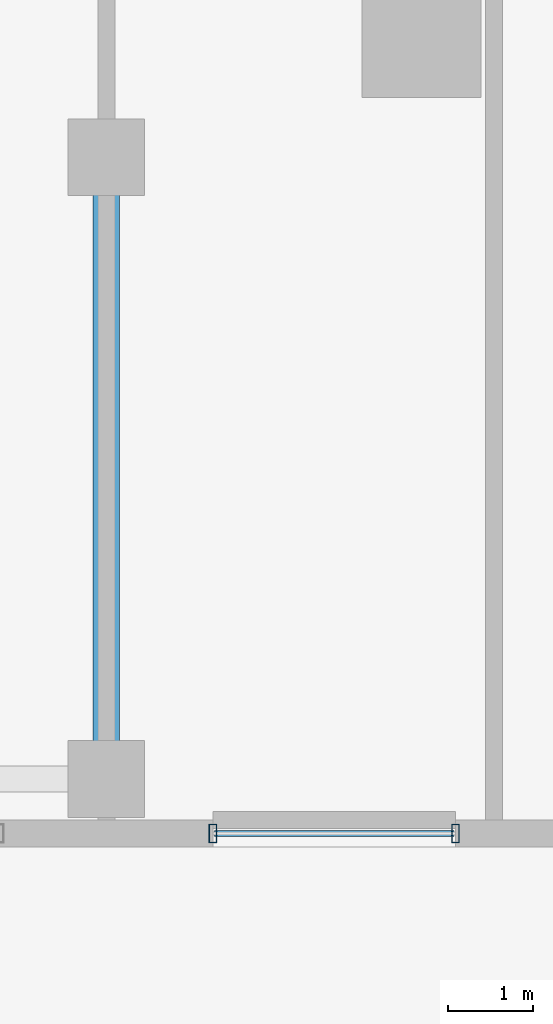
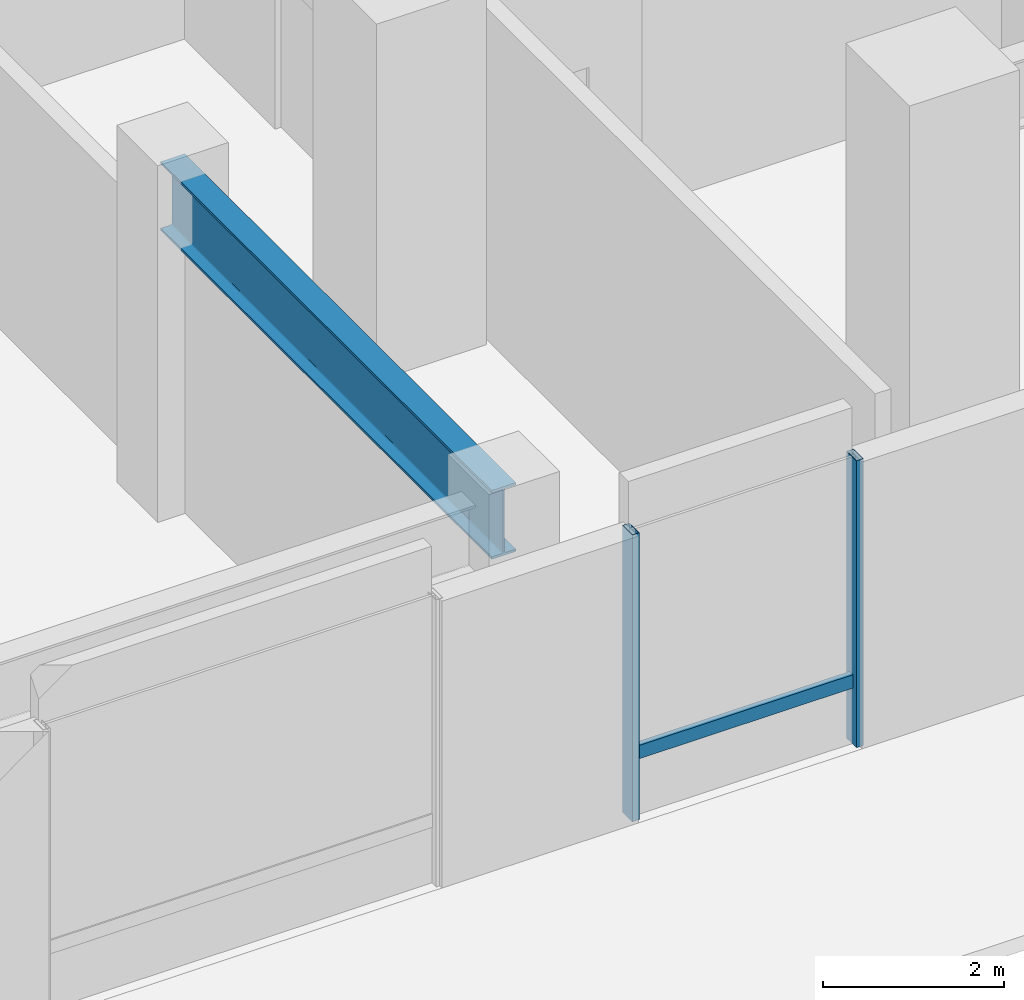
# One storey, part 8 of 24: 3 members, 1 beam, 1 element without a shape of its own.
"""IFC4 building model written with IfcOpenShell, lengths in metres."""

from ifc_helpers import new_model, si_unit, direction, frame, origin, origin_2d, place, context, subcontext, project, spatial, hollow_rectangle, i_section, extrude, material, material_profile, profile_set, type_object, element, aggregate, save


model = new_model("IFC4")

# Units and contexts
model_context = context("Model", 3, precision=1e-05, world=origin(), true_north=direction((0.0, 1.0)))
body_context = subcontext(model_context, "Body", "Model", "MODEL_VIEW")
ifc_project = project(units=[si_unit("LENGTHUNIT", "METRE"), si_unit("AREAUNIT", "SQUARE_METRE"), si_unit("VOLUMEUNIT", "CUBIC_METRE"), si_unit("PLANEANGLEUNIT", "RADIAN"), si_unit("MASSUNIT", "GRAM", prefix="KILO")], contexts=[model_context])

# Site, building, storey
site_placement = place(None, origin())
site = spatial("IfcSite", under=ifc_project, at=site_placement, CompositionType="ELEMENT")
building_placement = place(site_placement, origin())
building = spatial("IfcBuilding", under=site, at=building_placement, Name="Thornwick Lancets Civic Towers", CompositionType="ELEMENT")
storey_placement = place(building_placement, origin())
storey = spatial("IfcBuildingStorey", under=building, at=storey_placement, Name="L00", CompositionType="ELEMENT", Elevation=0.0)

# Beam
ifc_material_1 = material(Name="Steel S355JR", Category="steel")
ifc_material_profile_1 = material_profile(ifc_material_1, i_section(OverallWidth=0.3076171875, OverallDepth=0.926513671875, WebThickness=0.01953125, FlangeThickness=0.031982421875, FilletRadius=0.01904296875, at=origin_2d()), Name="UKB 914x305x289")
ifc_profile_set_1 = profile_set([ifc_material_profile_1], Name="Steel S355JR")
beam_type = type_object("IfcBeamType", Name="BM_POD_914_289", PredefinedType="BEAM", material=ifc_profile_set_1)
beam_placement = place(storey_placement, frame((67.5, 5.300048828125, 4.0166015625), z_axis=(0.0, 1.0, 0.0), x_axis=(-1.0, 0.0, 0.0)))
element("IfcBeam", 1, at=beam_placement, inside=storey, type_object=beam_type, Name="BM-PODG-L00-4-8", PredefinedType="BEAM", context=body_context, shape_type="SweptSolid", body=[
    extrude(i_section(OverallWidth=0.3076171875, OverallDepth=0.926513671875, WebThickness=0.01953125, FlangeThickness=0.031982421875, FilletRadius=0.01904296875, at=origin_2d()), origin(), (0.0, 0.0, 1.0), 7.300048828125),
])

# Curtain wall, members
ifc_material_2 = material(Name="Bronze aluminium Gothic lancet podium curtain wall", Category="aluminium")
curtain_wall_type = type_object("IfcCurtainWallType", Name="CW_SYS_01", PredefinedType="NOTDEFINED", material=ifc_material_2)
curtain_wall_placement = place(storey_placement, origin())
curtain_wall = element("IfcCurtainWall", 2, at=curtain_wall_placement, inside=storey, type_object=curtain_wall_type, Name="L00 Curtain Wall CW-L00-POD-SC-S5", PredefinedType="NOTDEFINED")
ifc_material_3 = material(Name="Thermally broken bronze aluminium S355", Category="steel")
ifc_material_profile_2 = material_profile(ifc_material_3, hollow_rectangle(XDim=0.090087890625, YDim=0.219970703125, WallThickness=0.00634765625, at=origin_2d()), Name="RHS 220x90x6.3")
ifc_profile_set_2 = profile_set([ifc_material_profile_2], Name="Thermally broken bronze aluminium S355")
member_type_1 = type_object("IfcMemberType", Name="CW_MUL_220", PredefinedType="MULLION", material=ifc_profile_set_2)
member_1_placement = place(storey_placement, frame((68.75, 4.659912109375, 0.0), z_axis=(0.0, 0.0, 1.0), x_axis=(1.0, 0.0, 0.0)))
member_1 = element("IfcMember", 3, at=member_1_placement, type_object=member_type_1, Name="CW-L00-POD-SC-S5 Mullion 0", PredefinedType="MULLION", context=body_context, shape_type="SweptSolid", body=[
    extrude(hollow_rectangle(XDim=0.090087890625, YDim=0.219970703125, WallThickness=0.00634765625, at=origin_2d()), origin(), (0.0, 0.0, 1.0), 3.860107421875),
])
member_2_placement = place(storey_placement, frame((71.60009765625, 4.659912109375, 0.0), z_axis=(0.0, 0.0, 1.0), x_axis=(1.0, 0.0, 0.0)))
member_2 = element("IfcMember", 4, at=member_2_placement, type_object=member_type_1, Name="CW-L00-POD-SC-S5 Mullion 1", PredefinedType="MULLION", context=body_context, shape_type="SweptSolid", body=[
    extrude(hollow_rectangle(XDim=0.090087890625, YDim=0.219970703125, WallThickness=0.00634765625, at=origin_2d()), origin(), (0.0, 0.0, 1.0), 3.860107421875),
])
ifc_material_profile_3 = material_profile(ifc_material_3, hollow_rectangle(XDim=0.074951171875, YDim=0.179931640625, WallThickness=0.006103515625, at=origin_2d()), Name="RHS 180x75x6")
ifc_profile_set_3 = profile_set([ifc_material_profile_3], Name="Thermally broken bronze aluminium S355")
member_type_2 = type_object("IfcMemberType", Name="CW_TRN_180", PredefinedType="USERDEFINED", material=ifc_profile_set_3)
member_3_placement = place(storey_placement, frame((68.77001953125, 4.659912109375, 0.85009765625), z_axis=(1.0, 0.0, 0.0), x_axis=(0.0, 1.0, 0.0)))
member_3 = element("IfcMember", 5, at=member_3_placement, type_object=member_type_2, Name="CW-L00-POD-SC-S5 Transom 0", ObjectType="TRANSOM", PredefinedType="USERDEFINED", context=body_context, shape_type="SweptSolid", body=[
    extrude(hollow_rectangle(XDim=0.074951171875, YDim=0.179931640625, WallThickness=0.006103515625, at=origin_2d()), origin(), (0.0, 0.0, 1.0), 2.81005859375),
])
aggregate(curtain_wall, [member_1, member_2, member_3])

save(model, "model.ifc")
